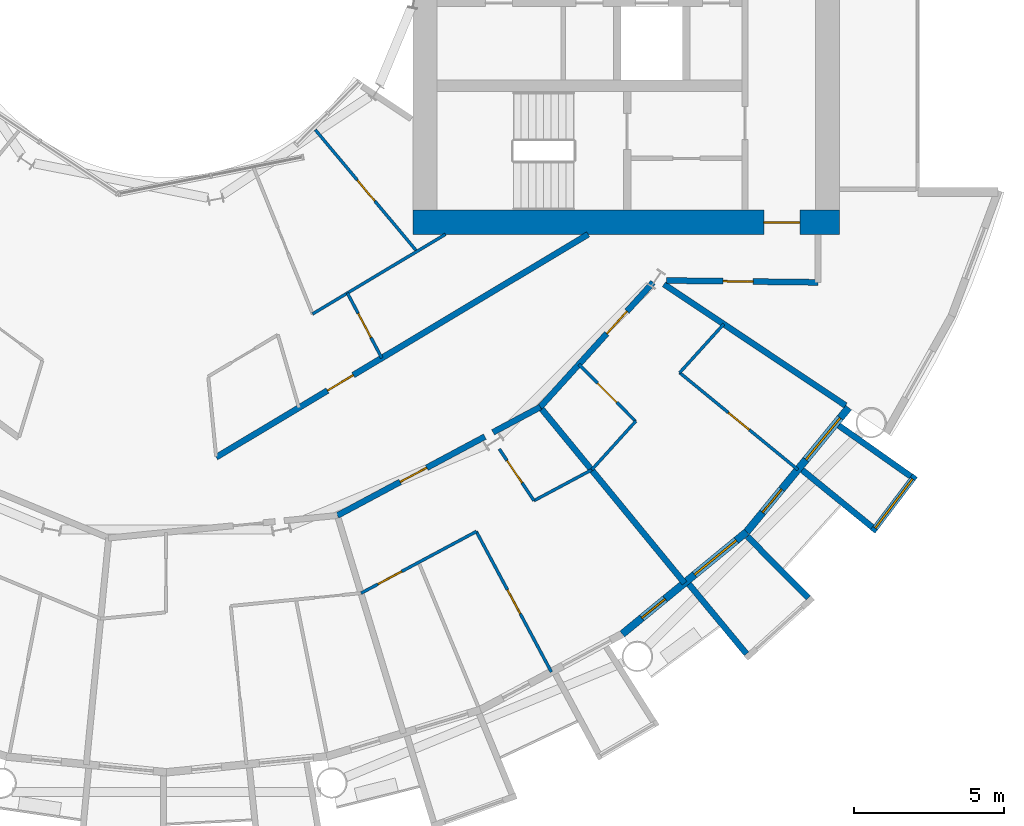
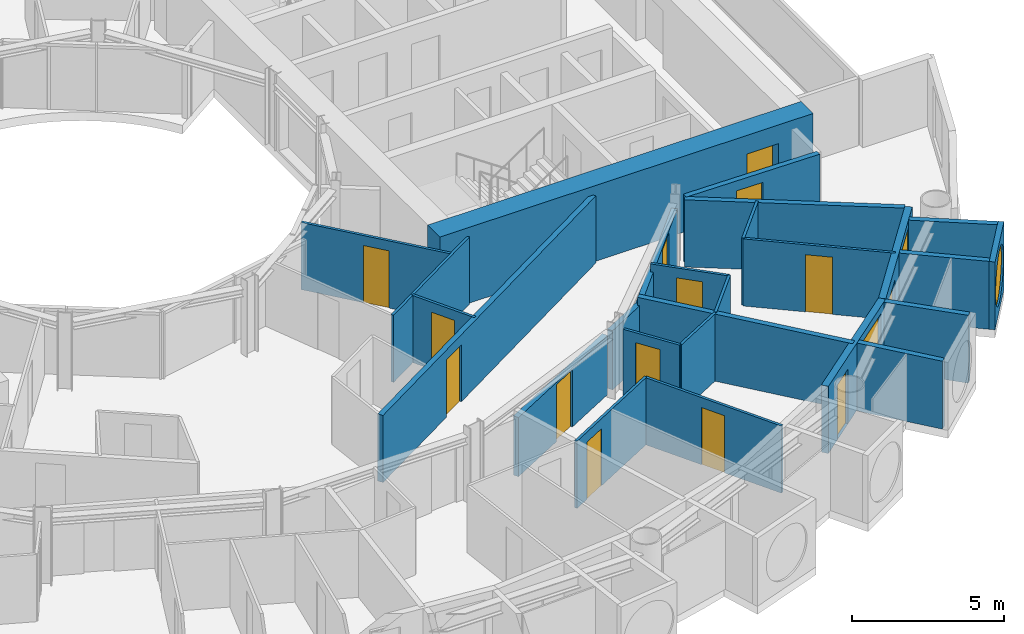
# One storey, part 16 of 26: 26 walls, 14 doors, 3 windows, 17 openings.
"""IFC4 building model written with IfcOpenShell, lengths in metres."""

from ifc_helpers import new_model, si_unit, direction, frame, frame_2d, origin, place, context, subcontext, project, spatial, rectangle, circle, extrude, material, layer, layer_set, type_object, element, fill, save


model = new_model("IFC4")

# Units and contexts
model_context = context("Model", 3, precision=1e-05, world=origin(), true_north=direction((0.0, 1.0)))
body_context = subcontext(model_context, "Body", "Model", "MODEL_VIEW")
ifc_project = project(units=[si_unit("LENGTHUNIT", "METRE"), si_unit("AREAUNIT", "SQUARE_METRE"), si_unit("VOLUMEUNIT", "CUBIC_METRE"), si_unit("PLANEANGLEUNIT", "RADIAN"), si_unit("MASSUNIT", "GRAM", prefix="KILO")], contexts=[model_context])

# Site, building, storey
site_placement = place(None, origin())
site = spatial("IfcSite", under=ifc_project, at=site_placement, CompositionType="ELEMENT")
building_placement = place(site_placement, origin())
building = spatial("IfcBuilding", under=site, at=building_placement, Name="Maasbend Ring Residences", CompositionType="ELEMENT")
storey_placement = place(building_placement, frame((0.0, 0.0, 50.25)))
storey = spatial("IfcBuildingStorey", under=building, at=storey_placement, Name="L14", CompositionType="ELEMENT", Elevation=50.25)

# Wall, opening, door
ifc_material_1 = material(Name="Concrete C70/85", Category="concrete")
ifc_layer_1 = layer(ifc_material_1, 0.800048828125)
ifc_layer_set_1 = layer_set([ifc_layer_1], Name="Concrete C70/85")
wall_type_1 = type_object("IfcWallType", Name="CORE WALL 800 C70/85", PredefinedType="SHEAR", material=ifc_layer_set_1)
wall_1_placement = place(storey_placement, frame((8.199951171875, -9.0, 0.0), z_axis=(0.0, 0.0, 1.0), x_axis=(1.0, 0.0, 0.0)))
wall_1 = element("IfcWall", 1, at=wall_1_placement, inside=storey, type_object=wall_type_1, Name="L14 core E wall PS", PredefinedType="SHEAR", context=body_context, shape_type="SweptSolid", body=[
    extrude(rectangle(XDim=14.199951171875, YDim=0.800048828125, at=frame_2d((7.10009765625, 0.0))), origin(), (0.0, 0.0, 1.0), 3.050048828125),
])
opening_1_placement = place(wall_1_placement, frame((11.675048828125, 0.0, 0.0)))
opening_1 = element("IfcOpeningElement", 2, at=opening_1_placement, cuts=wall_1, Name="Opening D-E1415", PredefinedType="OPENING", context=body_context, shape_type="SweptSolid", body=[
    extrude(rectangle(XDim=1.199951171875, YDim=2.300048828125, at=frame_2d((0.60009765625, 1.14990234375))), frame((0.0, 0.41015625, 0.0), z_axis=(0.0, -1.0, 0.0), x_axis=(1.0, 0.0, 0.0)), (0.0, 0.0, 1.0), 0.820068359375),
])
ifc_material_2 = material(Name="Steel, powder coated", Category="steel")
door_type_1 = type_object("IfcDoorType", Name="CORRIDOR DOOR 1200 X 2300 FD30S", OperationType="NOTDEFINED", PredefinedType="DOOR", material=ifc_material_2)
door_1_placement = place(opening_1_placement, origin())
door_1 = element("IfcDoor", 3, at=door_1_placement, inside=storey, type_object=door_type_1, Name="Corridor door L14", OperationType="SINGLE_SWING_LEFT", OverallHeight=2.300048828125, OverallWidth=1.199951171875, PredefinedType="DOOR", context=body_context, shape_type="SweptSolid", body=[
    extrude(rectangle(XDim=1.199951171875, YDim=2.300048828125, at=frame_2d((0.60009765625, 1.14990234375))), frame((0.0, 0.02490234375, 0.0), z_axis=(0.0, -1.0, 0.0), x_axis=(1.0, 0.0, 0.0)), (0.0, 0.0, 1.0), 0.050048828125),
])
fill(opening_1, door_1)

ifc_material_3 = material(Name="Concrete C30/37", Category="concrete")
ifc_layer_2 = layer(ifc_material_3, 0.199951171875)
ifc_layer_set_2 = layer_set([ifc_layer_2], Name="Concrete C30/37")
wall_type_2 = type_object("IfcWallType", Name="CORRIDOR WALL 200 CONCRETE", PredefinedType="PARTITIONING", material=ifc_layer_set_2)
wall_2_placement = place(storey_placement, frame((12.43408203125, -15.15087890625, 0.0), z_axis=(0.0, 0.0, 1.0), x_axis=(0.671514934772, 0.740991020444, 0.0)))
wall_2 = element("IfcWall", 4, at=wall_2_placement, inside=storey, type_object=wall_type_2, Name="U-L14-w014", PredefinedType="PARTITIONING", context=body_context, shape_type="SweptSolid", body=[
    extrude(rectangle(XDim=5.597900390625, YDim=0.199951171875, at=frame_2d((2.798828125, 0.0))), origin(), (0.0, 0.0, 1.0), 2.3798828125),
])
opening_2_placement = place(wall_2_placement, frame((3.304931640625, 0.0, 0.0)))
opening_2 = element("IfcOpeningElement", 5, at=opening_2_placement, cuts=wall_2, Name="Opening D-1447", PredefinedType="OPENING", context=body_context, shape_type="SweptSolid", body=[
    extrude(rectangle(XDim=1.0, YDim=2.300048828125, at=frame_2d((0.5, 1.14990234375))), frame((0.0, 0.10986328125, 0.0), z_axis=(0.0, -1.0, 0.0), x_axis=(1.0, 0.0, 0.0)), (0.0, 0.0, 1.0), 0.219970703125),
])
ifc_material_4 = material(Name="Timber, fire-rated, painted", Category="wood")
door_type_2 = type_object("IfcDoorType", Name="FLAT ENTRANCE DOOR 1000 X 2300 FIRE-RATED", OperationType="NOTDEFINED", PredefinedType="DOOR", material=ifc_material_4)
door_2_placement = place(opening_2_placement, origin())
door_2 = element("IfcDoor", 6, at=door_2_placement, inside=storey, type_object=door_type_2, Name="D-1447", OperationType="SINGLE_SWING_RIGHT", OverallHeight=2.300048828125, OverallWidth=1.0, PredefinedType="DOOR", context=body_context, shape_type="SweptSolid", body=[
    extrude(rectangle(XDim=1.0, YDim=2.300048828125, at=frame_2d((0.5, 1.14990234375))), frame((0.0, 0.02490234375, 0.0), z_axis=(0.0, -1.0, 0.0), x_axis=(1.0, 0.0, 0.0)), (0.0, 0.0, 1.0), 0.050048828125),
])
fill(opening_2, door_2)

wall_3_placement = place(storey_placement, frame((5.68994140625, -18.756103515625, 0.0), z_axis=(0.0, 0.0, 1.0), x_axis=(0.881866548297, 0.471499089072, 0.0)))
wall_3 = element("IfcWall", 7, at=wall_3_placement, inside=storey, type_object=wall_type_2, Name="U-L14-w017", PredefinedType="PARTITIONING", context=body_context, shape_type="SweptSolid", body=[
    extrude(rectangle(XDim=5.563232421875, YDim=0.199951171875, at=frame_2d((2.78173828125, 0.0))), origin(), (0.0, 0.0, 1.0), 2.3798828125),
])
opening_3_placement = place(wall_3_placement, frame((2.367919921875, 0.0, 0.0)))
opening_3 = element("IfcOpeningElement", 8, at=opening_3_placement, cuts=wall_3, Name="Opening D-1443", PredefinedType="OPENING", context=body_context, shape_type="SweptSolid", body=[
    extrude(rectangle(XDim=1.0, YDim=2.300048828125, at=frame_2d((0.5, 1.14990234375))), frame((0.0, 0.10986328125, 0.0), z_axis=(0.0, -1.0, 0.0), x_axis=(1.0, 0.0, 0.0)), (0.0, 0.0, 1.0), 0.219970703125),
])
door_3_placement = place(opening_3_placement, origin())
door_3 = element("IfcDoor", 9, at=door_3_placement, inside=storey, type_object=door_type_2, Name="D-1443", OperationType="SINGLE_SWING_RIGHT", OverallHeight=2.300048828125, OverallWidth=1.0, PredefinedType="DOOR", context=body_context, shape_type="SweptSolid", body=[
    extrude(rectangle(XDim=1.0, YDim=2.300048828125, at=frame_2d((0.5, 1.14990234375))), frame((0.0, 0.02490234375, 0.0), z_axis=(0.0, -1.0, 0.0), x_axis=(1.0, 0.0, 0.0)), (0.0, 0.0, 1.0), 0.050048828125),
])
fill(opening_3, door_3)

# Wall
wall_4_placement = place(storey_placement, frame((10.866943359375, -15.989013671875, 0.0), z_axis=(0.0, 0.0, 1.0), x_axis=(0.881596178172, 0.472004426496, 0.0)))
element("IfcWall", 10, at=wall_4_placement, inside=storey, type_object=wall_type_2, Name="U-L14-w018", PredefinedType="PARTITIONING", context=body_context, shape_type="SweptSolid", body=[
    extrude(rectangle(XDim=1.77978515625, YDim=0.199951171875, at=frame_2d((0.889892578125, 0.0))), origin(), (0.0, 0.0, 1.0), 2.3798828125),
])

# Wall, opening, door
wall_5_placement = place(storey_placement, frame((1.656005859375, -16.819091796875, 0.0), z_axis=(0.0, 0.0, 1.0), x_axis=(0.857773470126, 0.514027892189, 0.0)))
wall_5 = element("IfcWall", 11, at=wall_5_placement, inside=storey, type_object=wall_type_2, Name="U-L14-w021", PredefinedType="PARTITIONING", context=body_context, shape_type="SweptSolid", body=[
    extrude(rectangle(XDim=14.42919921875, YDim=0.199951171875, at=frame_2d((7.214599609375, 0.0))), origin(), (0.0, 0.0, 1.0), 2.699951171875),
])
opening_4_placement = place(wall_5_placement, frame((4.318115234375, 0.0, 0.0)))
opening_4 = element("IfcOpeningElement", 12, at=opening_4_placement, cuts=wall_5, Name="Opening D-1454", PredefinedType="OPENING", context=body_context, shape_type="SweptSolid", body=[
    extrude(rectangle(XDim=1.0, YDim=2.300048828125, at=frame_2d((0.5, 1.14990234375))), frame((0.0, 0.10986328125, 0.0), z_axis=(0.0, -1.0, 0.0), x_axis=(1.0, 0.0, 0.0)), (0.0, 0.0, 1.0), 0.219970703125),
])
door_4_placement = place(opening_4_placement, origin())
door_4 = element("IfcDoor", 13, at=door_4_placement, inside=storey, type_object=door_type_2, Name="D-1454", OperationType="SINGLE_SWING_LEFT", OverallHeight=2.300048828125, OverallWidth=1.0, PredefinedType="DOOR", context=body_context, shape_type="SweptSolid", body=[
    extrude(rectangle(XDim=1.0, YDim=2.300048828125, at=frame_2d((0.5, 1.14990234375))), frame((0.0, 0.02490234375, 0.0), z_axis=(0.0, -1.0, 0.0), x_axis=(1.0, 0.0, 0.0)), (0.0, 0.0, 1.0), 0.050048828125),
])
fill(opening_4, door_4)

wall_6_placement = place(storey_placement, frame((16.636962890625, -10.93798828125, 0.0), z_axis=(0.0, 0.0, 1.0), x_axis=(0.99992425795, -0.012307654658, 0.0)))
wall_6 = element("IfcWall", 14, at=wall_6_placement, inside=storey, type_object=wall_type_2, Name="U-L14-w027", PredefinedType="PARTITIONING", context=body_context, shape_type="SweptSolid", body=[
    extrude(rectangle(XDim=5.03857421875, YDim=0.199951171875, at=frame_2d((2.519287109375, 0.0))), origin(), (0.0, 0.0, 1.0), 2.699951171875),
])
opening_5_placement = place(wall_6_placement, frame((1.884033203125, 0.0, 0.0)))
opening_5 = element("IfcOpeningElement", 15, at=opening_5_placement, cuts=wall_6, Name="Opening D-1461", PredefinedType="OPENING", context=body_context, shape_type="SweptSolid", body=[
    extrude(rectangle(XDim=1.0, YDim=2.300048828125, at=frame_2d((0.5, 1.14990234375))), frame((0.0, 0.10986328125, 0.0), z_axis=(0.0, -1.0, 0.0), x_axis=(1.0, 0.0, 0.0)), (0.0, 0.0, 1.0), 0.219970703125),
])
ifc_material_5 = material(Name="Timber, painted", Category="wood")
door_type_3 = type_object("IfcDoorType", Name="ROOM DOOR 1000 X 2300", OperationType="NOTDEFINED", PredefinedType="DOOR", material=ifc_material_5)
door_5_placement = place(opening_5_placement, origin())
door_5 = element("IfcDoor", 16, at=door_5_placement, inside=storey, type_object=door_type_3, Name="D-1461", OperationType="SINGLE_SWING_LEFT", OverallHeight=2.300048828125, OverallWidth=1.0, PredefinedType="DOOR", context=body_context, shape_type="SweptSolid", body=[
    extrude(rectangle(XDim=1.0, YDim=2.300048828125, at=frame_2d((0.5, 1.14990234375))), frame((0.0, 0.02490234375, 0.0), z_axis=(0.0, -1.0, 0.0), x_axis=(1.0, 0.0, 0.0)), (0.0, 0.0, 1.0), 0.050048828125),
])
fill(opening_5, door_5)

# Walls
ifc_material_6 = material(Name="Pale anodised aluminium panel", Category="aluminium")
ifc_layer_3 = layer(ifc_material_6, 0.199951171875)
ifc_layer_set_3 = layer_set([ifc_layer_3], Name="EW-BOX")
wall_type_3 = type_object("IfcWallType", Name="EW-BOX", PredefinedType="SOLIDWALL", material=ifc_layer_set_3)
wall_7_placement = place(storey_placement, frame((17.384033203125, -21.041015625, -0.030029296875), z_axis=(0.0, 0.0, 1.0), x_axis=(0.63709551667, -0.770784861449, 0.0)))
element("IfcWall", 17, at=wall_7_placement, inside=storey, type_object=wall_type_3, Name="Box side wall S18 left", PredefinedType="SOLIDWALL", context=body_context, shape_type="SweptSolid", body=[
    extrude(rectangle(XDim=3.005859375, YDim=0.199951171875, at=frame_2d((1.5029296875, 0.0))), origin(), (0.0, 0.0, 1.0), 2.72998046875),
])
wall_8_placement = place(storey_placement, frame((19.322998046875, -19.449951171875, -0.030029296875), z_axis=(0.0, 0.0, 1.0), x_axis=(0.704476739375, -0.709727076896, 0.0)))
element("IfcWall", 18, at=wall_8_placement, inside=storey, type_object=wall_type_3, Name="Box side wall S18 right", PredefinedType="SOLIDWALL", context=body_context, shape_type="SweptSolid", body=[
    extrude(rectangle(XDim=2.883056640625, YDim=0.199951171875, at=frame_2d((1.44140625, 0.0))), origin(), (0.0, 0.0, 1.0), 2.72998046875),
])

# Wall, opening, window
wall_9_placement = place(storey_placement, frame((23.4970703125, -19.2890625, -0.030029296875), z_axis=(0.0, 0.0, 1.0), x_axis=(0.60418752353, 0.796842165306, 0.0)))
wall_9 = element("IfcWall", 19, at=wall_9_placement, inside=storey, type_object=wall_type_3, Name="Box front S20", PredefinedType="SOLIDWALL", context=body_context, shape_type="SweptSolid", body=[
    extrude(rectangle(XDim=2.3369140625, YDim=0.199951171875, at=frame_2d((1.16845703125, 0.0))), origin(), (0.0, 0.0, 1.0), 2.72998046875),
])
opening_6_placement = place(wall_9_placement, frame((0.128173828125, 0.0, 0.330078125)))
opening_6 = element("IfcOpeningElement", 20, at=opening_6_placement, cuts=wall_9, Name="Opening W-RD", PredefinedType="OPENING", context=body_context, shape_type="SweptSolid", body=[
    extrude(circle(Radius=1.0400390625, at=frame_2d((1.0400390625, 1.0400390625))), frame((0.0, 0.10986328125, 0.0), z_axis=(0.0, -1.0, 0.0), x_axis=(1.0, 0.0, 0.0)), (0.0, 0.0, 1.0), 0.219970703125),
])
ifc_material_7 = material(Name="Aluminium and clear glass", Category="aluminium")
window_type_1 = type_object("IfcWindowType", Name="W-RD", PartitioningType="SINGLE_PANEL", PredefinedType="WINDOW", material=ifc_material_7)
window_1_placement = place(opening_6_placement, origin())
window_1 = element("IfcWindow", 21, at=window_1_placement, inside=storey, type_object=window_type_1, Name="Round window S20", OverallHeight=2.080078125, OverallWidth=2.080078125, PartitioningType="SINGLE_PANEL", PredefinedType="WINDOW", context=body_context, shape_type="SweptSolid", body=[
    extrude(circle(Radius=1.0400390625, at=frame_2d((1.0400390625, 1.0400390625))), frame((0.0, 0.030029296875, 0.0), z_axis=(0.0, -1.0, 0.0), x_axis=(1.0, 0.0, 0.0)), (0.0, 0.0, 1.0), 0.06005859375),
])
fill(opening_6, window_1)

# Walls
wall_10_placement = place(storey_placement, frame((21.155029296875, -17.24609375, -0.030029296875), z_axis=(0.0, 0.0, 1.0), x_axis=(0.775179004516, -0.631741648902, 0.0)))
element("IfcWall", 22, at=wall_10_placement, inside=storey, type_object=wall_type_3, Name="Box side wall S20 left", PredefinedType="SOLIDWALL", context=body_context, shape_type="SweptSolid", body=[
    extrude(rectangle(XDim=3.005859375, YDim=0.199951171875, at=frame_2d((1.5029296875, 0.0))), origin(), (0.0, 0.0, 1.0), 2.72998046875),
])
wall_11_placement = place(storey_placement, frame((22.3701171875, -15.764892578125, -0.030029296875), z_axis=(0.0, 0.0, 1.0), x_axis=(0.817256123454, -0.576274612209, 0.0)))
element("IfcWall", 23, at=wall_11_placement, inside=storey, type_object=wall_type_3, Name="Box side wall S20 right", PredefinedType="SOLIDWALL", context=body_context, shape_type="SweptSolid", body=[
    extrude(rectangle(XDim=2.932861328125, YDim=0.199951171875, at=frame_2d((1.46630859375, 0.0))), origin(), (0.0, 0.0, 1.0), 2.72998046875),
])

# Wall, openings, door, window
ifc_material_8 = material(Name="Aluminium clad insulated panel", Category="aluminium")
ifc_layer_4 = layer(ifc_material_8, 0.25)
ifc_layer_set_4 = layer_set([ifc_layer_4], Name="EW-GL")
wall_type_4 = type_object("IfcWallType", Name="EW-GL", PredefinedType="SOLIDWALL", material=ifc_layer_set_4)
wall_12_placement = place(storey_placement, frame((15.1669921875, -22.698974609375, 0.0), z_axis=(0.0, 0.0, 1.0), x_axis=(0.773019449054, 0.634382322723, 0.0)))
wall_12 = element("IfcWall", 24, at=wall_12_placement, inside=storey, type_object=wall_type_4, Name="External wall S09", PredefinedType="SOLIDWALL", context=body_context, shape_type="SweptSolid", body=[
    extrude(rectangle(XDim=5.351806640625, YDim=0.25, at=frame_2d((2.67578125, 0.0))), origin(), (0.0, 0.0, 1.0), 2.699951171875),
])
opening_7_placement = place(wall_12_placement, frame((0.841064453125, 0.0, 0.0)))
opening_7 = element("IfcOpeningElement", 25, at=opening_7_placement, cuts=wall_12, Name="Opening D-LG", PredefinedType="OPENING", context=body_context, shape_type="SweptSolid", body=[
    extrude(rectangle(XDim=1.0, YDim=2.199951171875, at=frame_2d((0.5, 1.10009765625))), frame((0.0, 0.135009765625, 0.0), z_axis=(0.0, -1.0, 0.0), x_axis=(1.0, 0.0, 0.0)), (0.0, 0.0, 1.0), 0.27001953125),
])
opening_8_placement = place(wall_12_placement, frame((3.110595703125, 0.0, 0.300048828125)))
opening_8 = element("IfcOpeningElement", 26, at=opening_8_placement, cuts=wall_12, Name="Opening W-BX", PredefinedType="OPENING", context=body_context, shape_type="SweptSolid", body=[
    extrude(rectangle(XDim=1.800048828125, YDim=2.10009765625, at=frame_2d((0.89990234375, 1.050048828125))), frame((0.0, 0.135009765625, 0.0), z_axis=(0.0, -1.0, 0.0), x_axis=(1.0, 0.0, 0.0)), (0.0, 0.0, 1.0), 0.27001953125),
])
ifc_material_9 = material(Name="Aluminium and clear glass", Category="aluminium")
door_type_4 = type_object("IfcDoorType", Name="D-LG", OperationType="SINGLE_SWING_LEFT", PredefinedType="DOOR", material=ifc_material_9)
door_6_placement = place(opening_7_placement, origin())
door_6 = element("IfcDoor", 27, at=door_6_placement, inside=storey, type_object=door_type_4, Name="Loggia door S17", OperationType="SINGLE_SWING_LEFT", OverallHeight=2.199951171875, OverallWidth=1.0, PredefinedType="DOOR", context=body_context, shape_type="SweptSolid", body=[
    extrude(rectangle(XDim=1.0, YDim=2.199951171875, at=frame_2d((0.5, 1.10009765625))), frame((0.0, 0.02490234375, 0.0), z_axis=(0.0, -1.0, 0.0), x_axis=(1.0, 0.0, 0.0)), (0.0, 0.0, 1.0), 0.050048828125),
])
fill(opening_7, door_6)
ifc_material_10 = material(Name="Aluminium and clear glass", Category="aluminium")
window_type_2 = type_object("IfcWindowType", Name="W-BX", PartitioningType="DOUBLE_PANEL_VERTICAL", PredefinedType="WINDOW", material=ifc_material_10)
window_2_placement = place(opening_8_placement, origin())
window_2 = element("IfcWindow", 28, at=window_2_placement, inside=storey, type_object=window_type_2, Name="Window S18 room to box", OverallHeight=2.10009765625, OverallWidth=1.800048828125, PartitioningType="SINGLE_PANEL", PredefinedType="WINDOW", context=body_context, shape_type="SweptSolid", body=[
    extrude(rectangle(XDim=1.800048828125, YDim=2.10009765625, at=frame_2d((0.89990234375, 1.050048828125))), frame((0.0, 0.030029296875, 0.0), z_axis=(0.0, -1.0, 0.0), x_axis=(1.0, 0.0, 0.0)), (0.0, 0.0, 1.0), 0.06005859375),
])
fill(opening_8, window_2)

wall_13_placement = place(storey_placement, frame((19.303955078125, -19.303955078125, 0.0), z_axis=(0.0, 0.0, 1.0), x_axis=(0.634382322723, 0.773019449054, 0.0)))
wall_13 = element("IfcWall", 29, at=wall_13_placement, inside=storey, type_object=wall_type_4, Name="External wall S10", PredefinedType="SOLIDWALL", context=body_context, shape_type="SweptSolid", body=[
    extrude(rectangle(XDim=5.351806640625, YDim=0.25, at=frame_2d((2.67578125, 0.0))), origin(), (0.0, 0.0, 1.0), 2.699951171875),
])
opening_9_placement = place(wall_13_placement, frame((0.841064453125, 0.0, 0.0)))
opening_9 = element("IfcOpeningElement", 30, at=opening_9_placement, cuts=wall_13, Name="Opening D-LG", PredefinedType="OPENING", context=body_context, shape_type="SweptSolid", body=[
    extrude(rectangle(XDim=1.0, YDim=2.199951171875, at=frame_2d((0.5, 1.10009765625))), frame((0.0, 0.135009765625, 0.0), z_axis=(0.0, -1.0, 0.0), x_axis=(1.0, 0.0, 0.0)), (0.0, 0.0, 1.0), 0.27001953125),
])
opening_10_placement = place(wall_13_placement, frame((3.110595703125, 0.0, 0.300048828125)))
opening_10 = element("IfcOpeningElement", 31, at=opening_10_placement, cuts=wall_13, Name="Opening W-BX", PredefinedType="OPENING", context=body_context, shape_type="SweptSolid", body=[
    extrude(rectangle(XDim=1.800048828125, YDim=2.10009765625, at=frame_2d((0.89990234375, 1.050048828125))), frame((0.0, 0.135009765625, 0.0), z_axis=(0.0, -1.0, 0.0), x_axis=(1.0, 0.0, 0.0)), (0.0, 0.0, 1.0), 0.27001953125),
])
door_7_placement = place(opening_9_placement, origin())
door_7 = element("IfcDoor", 32, at=door_7_placement, inside=storey, type_object=door_type_4, Name="Loggia door S19", OperationType="SINGLE_SWING_LEFT", OverallHeight=2.199951171875, OverallWidth=1.0, PredefinedType="DOOR", context=body_context, shape_type="SweptSolid", body=[
    extrude(rectangle(XDim=1.0, YDim=2.199951171875, at=frame_2d((0.5, 1.10009765625))), frame((0.0, 0.02490234375, 0.0), z_axis=(0.0, -1.0, 0.0), x_axis=(1.0, 0.0, 0.0)), (0.0, 0.0, 1.0), 0.050048828125),
])
fill(opening_9, door_7)
window_3_placement = place(opening_10_placement, origin())
window_3 = element("IfcWindow", 33, at=window_3_placement, inside=storey, type_object=window_type_2, Name="Window S20 room to box", OverallHeight=2.10009765625, OverallWidth=1.800048828125, PartitioningType="SINGLE_PANEL", PredefinedType="WINDOW", context=body_context, shape_type="SweptSolid", body=[
    extrude(rectangle(XDim=1.800048828125, YDim=2.10009765625, at=frame_2d((0.89990234375, 1.050048828125))), frame((0.0, 0.030029296875, 0.0), z_axis=(0.0, -1.0, 0.0), x_axis=(1.0, 0.0, 0.0)), (0.0, 0.0, 1.0), 0.06005859375),
])
fill(opening_10, window_3)

# Walls
ifc_material_11 = material(Name="Gypsum board on steel studs", Category="steel")
ifc_layer_5 = layer(ifc_material_11, 0.10009765625)
ifc_layer_set_5 = layer_set([ifc_layer_5], Name="PARTITION 100 GYPSUM")
wall_type_5 = type_object("IfcWallType", Name="PARTITION 100 GYPSUM", PredefinedType="PARTITIONING", material=ifc_layer_set_5)
wall_14_placement = place(storey_placement, frame((14.153076171875, -17.23388671875, 0.0), z_axis=(0.0, 0.0, 1.0), x_axis=(0.671144831591, 0.741326254107, 0.0)))
element("IfcWall", 34, at=wall_14_placement, inside=storey, type_object=wall_type_5, Name="U-L14-w003", PredefinedType="PARTITIONING", context=body_context, shape_type="SweptSolid", body=[
    extrude(rectangle(XDim=2.18115234375, YDim=0.10009765625, at=frame_2d((1.090576171875, 0.0))), origin(), (0.0, 0.0, 1.0), 2.699951171875),
])
wall_15_placement = place(storey_placement, frame((17.076904296875, -14.006103515625, 0.0), z_axis=(0.0, 0.0, 1.0), x_axis=(0.671396556615, 0.741098282123, 0.0)))
element("IfcWall", 35, at=wall_15_placement, inside=storey, type_object=wall_type_5, Name="U-L14-w004", PredefinedType="PARTITIONING", context=body_context, shape_type="SweptSolid", body=[
    extrude(rectangle(XDim=2.18212890625, YDim=0.10009765625, at=frame_2d((1.091064453125, 0.0))), origin(), (0.0, 0.0, 1.0), 2.699951171875),
])

# Wall, opening, door
wall_16_placement = place(storey_placement, frame((6.47802734375, -21.340087890625, 0.0), z_axis=(0.0, 0.0, 1.0), x_axis=(0.881765663848, 0.471687729392, 0.0)))
wall_16 = element("IfcWall", 36, at=wall_16_placement, inside=storey, type_object=wall_type_5, Name="U-L14-w007", PredefinedType="PARTITIONING", context=body_context, shape_type="SweptSolid", body=[
    extrude(rectangle(XDim=4.35498046875, YDim=0.10009765625, at=frame_2d((2.177490234375, 0.0))), origin(), (0.0, 0.0, 1.0), 2.699951171875),
])
opening_11_placement = place(wall_16_placement, frame((0.633056640625, 0.0, 0.0)))
opening_11 = element("IfcOpeningElement", 37, at=opening_11_placement, cuts=wall_16, Name="Opening D-1446", PredefinedType="OPENING", context=body_context, shape_type="SweptSolid", body=[
    extrude(rectangle(XDim=0.89990234375, YDim=2.300048828125, at=frame_2d((0.449951171875, 1.14990234375))), frame((0.0, 0.06005859375, 0.0), z_axis=(0.0, -1.0, 0.0), x_axis=(1.0, 0.0, 0.0)), (0.0, 0.0, 1.0), 0.1201171875),
])
ifc_material_12 = material(Name="Timber, painted", Category="wood")
door_type_5 = type_object("IfcDoorType", Name="INTERNAL DOOR 900 X 2300", OperationType="NOTDEFINED", PredefinedType="DOOR", material=ifc_material_12)
door_8_placement = place(opening_11_placement, origin())
door_8 = element("IfcDoor", 38, at=door_8_placement, inside=storey, type_object=door_type_5, Name="D-1446", OperationType="SINGLE_SWING_LEFT", OverallHeight=2.300048828125, OverallWidth=0.89990234375, PredefinedType="DOOR", context=body_context, shape_type="SweptSolid", body=[
    extrude(rectangle(XDim=0.89990234375, YDim=2.300048828125, at=frame_2d((0.449951171875, 1.14990234375))), frame((0.0, 0.02490234375, 0.0), z_axis=(0.0, -1.0, 0.0), x_axis=(1.0, 0.0, 0.0)), (0.0, 0.0, 1.0), 0.050048828125),
])
fill(opening_11, door_8)

# Walls
wall_17_placement = place(storey_placement, frame((12.22900390625, -18.263916015625, 0.0), z_axis=(0.0, 0.0, 1.0), x_axis=(0.881786813167, 0.471648191055, 0.0)))
element("IfcWall", 39, at=wall_17_placement, inside=storey, type_object=wall_type_5, Name="U-L14-w008", PredefinedType="PARTITIONING", context=body_context, shape_type="SweptSolid", body=[
    extrude(rectangle(XDim=2.175048828125, YDim=0.10009765625, at=frame_2d((1.08740234375, 0.0))), origin(), (0.0, 0.0, 1.0), 2.699951171875),
])
wall_18_placement = place(storey_placement, frame((4.860107421875, -12.052978515625, 0.0), z_axis=(0.0, 0.0, 1.0), x_axis=(0.857697418837, 0.514154779926, 0.0)))
element("IfcWall", 40, at=wall_18_placement, inside=storey, type_object=wall_type_5, Name="U-L14-w025", PredefinedType="PARTITIONING", context=body_context, shape_type="SweptSolid", body=[
    extrude(rectangle(XDim=5.16015625, YDim=0.10009765625, at=frame_2d((2.580078125, 0.0))), origin(), (0.0, 0.0, 1.0), 2.699951171875),
])

# Wall, opening, door
wall_19_placement = place(storey_placement, frame((4.951904296875, -5.923095703125, 0.0), z_axis=(0.0, 0.0, 1.0), x_axis=(0.641376424834, -0.767226356213, 0.0)))
wall_19 = element("IfcWall", 41, at=wall_19_placement, inside=storey, type_object=wall_type_5, Name="U-L14-w063", PredefinedType="PARTITIONING", context=body_context, shape_type="SweptSolid", body=[
    extrude(rectangle(XDim=5.274658203125, YDim=0.10009765625, at=frame_2d((2.63720703125, 0.0))), origin(), (0.0, 0.0, 1.0), 2.699951171875),
])
opening_12_placement = place(wall_19_placement, frame((2.18701171875, 0.0, 0.0)))
opening_12 = element("IfcOpeningElement", 42, at=opening_12_placement, cuts=wall_19, Name="Opening D-1458", PredefinedType="OPENING", context=body_context, shape_type="SweptSolid", body=[
    extrude(rectangle(XDim=0.89990234375, YDim=2.300048828125, at=frame_2d((0.449951171875, 1.14990234375))), frame((0.0, 0.06005859375, 0.0), z_axis=(0.0, -1.0, 0.0), x_axis=(1.0, 0.0, 0.0)), (0.0, 0.0, 1.0), 0.1201171875),
])
door_9_placement = place(opening_12_placement, origin())
door_9 = element("IfcDoor", 43, at=door_9_placement, inside=storey, type_object=door_type_5, Name="D-1458", OperationType="SINGLE_SWING_RIGHT", OverallHeight=2.300048828125, OverallWidth=0.89990234375, PredefinedType="DOOR", context=body_context, shape_type="SweptSolid", body=[
    extrude(rectangle(XDim=0.89990234375, YDim=2.300048828125, at=frame_2d((0.449951171875, 1.14990234375))), frame((0.0, 0.02490234375, 0.0), z_axis=(0.0, -1.0, 0.0), x_axis=(1.0, 0.0, 0.0)), (0.0, 0.0, 1.0), 0.050048828125),
])
fill(opening_12, door_9)

wall_20_placement = place(storey_placement, frame((6.02099609375, -11.35693359375, 0.0), z_axis=(0.0, 0.0, 1.0), x_axis=(0.468337293896, -0.883549760425, 0.0)))
wall_20 = element("IfcWall", 44, at=wall_20_placement, inside=storey, type_object=wall_type_5, Name="U-L14-w066", PredefinedType="PARTITIONING", context=body_context, shape_type="SweptSolid", body=[
    extrude(rectangle(XDim=2.44482421875, YDim=0.10009765625, at=frame_2d((1.222412109375, 0.0))), origin(), (0.0, 0.0, 1.0), 2.699951171875),
])
opening_13_placement = place(wall_20_placement, frame((0.77197265625, 0.0, 0.0)))
opening_13 = element("IfcOpeningElement", 45, at=opening_13_placement, cuts=wall_20, Name="Opening D-1456", PredefinedType="OPENING", context=body_context, shape_type="SweptSolid", body=[
    extrude(rectangle(XDim=0.89990234375, YDim=2.300048828125, at=frame_2d((0.449951171875, 1.14990234375))), frame((0.0, 0.06005859375, 0.0), z_axis=(0.0, -1.0, 0.0), x_axis=(1.0, 0.0, 0.0)), (0.0, 0.0, 1.0), 0.1201171875),
])
door_10_placement = place(opening_13_placement, origin())
door_10 = element("IfcDoor", 46, at=door_10_placement, inside=storey, type_object=door_type_5, Name="D-1456", OperationType="SINGLE_SWING_RIGHT", OverallHeight=2.300048828125, OverallWidth=0.89990234375, PredefinedType="DOOR", context=body_context, shape_type="SweptSolid", body=[
    extrude(rectangle(XDim=0.89990234375, YDim=2.300048828125, at=frame_2d((0.449951171875, 1.14990234375))), frame((0.0, 0.02490234375, 0.0), z_axis=(0.0, -1.0, 0.0), x_axis=(1.0, 0.0, 0.0)), (0.0, 0.0, 1.0), 0.050048828125),
])
fill(opening_13, door_10)

wall_21_placement = place(storey_placement, frame((10.31005859375, -19.2890625, 0.0), z_axis=(0.0, 0.0, 1.0), x_axis=(0.47140999111, -0.881914179658, 0.0)))
wall_21 = element("IfcWall", 47, at=wall_21_placement, inside=storey, type_object=wall_type_5, Name="U-L14-w072", PredefinedType="PARTITIONING", context=body_context, shape_type="SweptSolid", body=[
    extrude(rectangle(XDim=5.30322265625, YDim=0.10009765625, at=frame_2d((2.651611328125, 0.0))), origin(), (0.0, 0.0, 1.0), 2.699951171875),
])
opening_14_placement = place(wall_21_placement, frame((2.201904296875, 0.0, 0.0)))
opening_14 = element("IfcOpeningElement", 48, at=opening_14_placement, cuts=wall_21, Name="Opening D-1445", PredefinedType="OPENING", context=body_context, shape_type="SweptSolid", body=[
    extrude(rectangle(XDim=0.89990234375, YDim=2.300048828125, at=frame_2d((0.449951171875, 1.14990234375))), frame((0.0, 0.06005859375, 0.0), z_axis=(0.0, -1.0, 0.0), x_axis=(1.0, 0.0, 0.0)), (0.0, 0.0, 1.0), 0.1201171875),
])
door_11_placement = place(opening_14_placement, origin())
door_11 = element("IfcDoor", 49, at=door_11_placement, inside=storey, type_object=door_type_5, Name="D-1445", OperationType="SINGLE_SWING_RIGHT", OverallHeight=2.300048828125, OverallWidth=0.89990234375, PredefinedType="DOOR", context=body_context, shape_type="SweptSolid", body=[
    extrude(rectangle(XDim=0.89990234375, YDim=2.300048828125, at=frame_2d((0.449951171875, 1.14990234375))), frame((0.0, 0.02490234375, 0.0), z_axis=(0.0, -1.0, 0.0), x_axis=(1.0, 0.0, 0.0)), (0.0, 0.0, 1.0), 0.050048828125),
])
fill(opening_14, door_11)

wall_22_placement = place(storey_placement, frame((11.076904296875, -16.5439453125, 0.0), z_axis=(0.0, 0.0, 1.0), x_axis=(0.556522278225, -0.830832687031, 0.0)))
wall_22 = element("IfcWall", 50, at=wall_22_placement, inside=storey, type_object=wall_type_5, Name="U-L14-w073", PredefinedType="PARTITIONING", context=body_context, shape_type="SweptSolid", body=[
    extrude(rectangle(XDim=2.070068359375, YDim=0.10009765625, at=frame_2d((1.03515625, 0.0))), origin(), (0.0, 0.0, 1.0), 2.699951171875),
])
opening_15_placement = place(wall_22_placement, frame((0.4580078125, 0.0, 0.0)))
opening_15 = element("IfcOpeningElement", 51, at=opening_15_placement, cuts=wall_22, Name="Opening D-1444", PredefinedType="OPENING", context=body_context, shape_type="SweptSolid", body=[
    extrude(rectangle(XDim=0.89990234375, YDim=2.300048828125, at=frame_2d((0.449951171875, 1.14990234375))), frame((0.0, 0.06005859375, 0.0), z_axis=(0.0, -1.0, 0.0), x_axis=(1.0, 0.0, 0.0)), (0.0, 0.0, 1.0), 0.1201171875),
])
door_12_placement = place(opening_15_placement, origin())
door_12 = element("IfcDoor", 52, at=door_12_placement, inside=storey, type_object=door_type_5, Name="D-1444", OperationType="SINGLE_SWING_LEFT", OverallHeight=2.300048828125, OverallWidth=0.89990234375, PredefinedType="DOOR", context=body_context, shape_type="SweptSolid", body=[
    extrude(rectangle(XDim=0.89990234375, YDim=2.300048828125, at=frame_2d((0.449951171875, 1.14990234375))), frame((0.0, 0.02490234375, 0.0), z_axis=(0.0, -1.0, 0.0), x_axis=(1.0, 0.0, 0.0)), (0.0, 0.0, 1.0), 0.050048828125),
])
fill(opening_15, door_12)

wall_23_placement = place(storey_placement, frame((13.721923828125, -13.72998046875, 0.0), z_axis=(0.0, 0.0, 1.0), x_axis=(0.706741540154, -0.707471833659, 0.0)))
wall_23 = element("IfcWall", 53, at=wall_23_placement, inside=storey, type_object=wall_type_5, Name="U-L14-w077", PredefinedType="PARTITIONING", context=body_context, shape_type="SweptSolid", body=[
    extrude(rectangle(XDim=2.67431640625, YDim=0.10009765625, at=frame_2d((1.337158203125, 0.0))), origin(), (0.0, 0.0, 1.0), 2.699951171875),
])
opening_16_placement = place(wall_23_placement, frame((0.886962890625, 0.0, 0.0)))
opening_16 = element("IfcOpeningElement", 54, at=opening_16_placement, cuts=wall_23, Name="Opening D-1448", PredefinedType="OPENING", context=body_context, shape_type="SweptSolid", body=[
    extrude(rectangle(XDim=0.89990234375, YDim=2.300048828125, at=frame_2d((0.449951171875, 1.14990234375))), frame((0.0, 0.06005859375, 0.0), z_axis=(0.0, -1.0, 0.0), x_axis=(1.0, 0.0, 0.0)), (0.0, 0.0, 1.0), 0.1201171875),
])
door_13_placement = place(opening_16_placement, origin())
door_13 = element("IfcDoor", 55, at=door_13_placement, inside=storey, type_object=door_type_5, Name="D-1448", OperationType="SINGLE_SWING_RIGHT", OverallHeight=2.300048828125, OverallWidth=0.89990234375, PredefinedType="DOOR", context=body_context, shape_type="SweptSolid", body=[
    extrude(rectangle(XDim=0.89990234375, YDim=2.300048828125, at=frame_2d((0.449951171875, 1.14990234375))), frame((0.0, 0.02490234375, 0.0), z_axis=(0.0, -1.0, 0.0), x_axis=(1.0, 0.0, 0.0)), (0.0, 0.0, 1.0), 0.050048828125),
])
fill(opening_16, door_13)

wall_24_placement = place(storey_placement, frame((17.076904296875, -14.006103515625, 0.0), z_axis=(0.0, 0.0, 1.0), x_axis=(0.77326214499, -0.634086472908, 0.0)))
wall_24 = element("IfcWall", 56, at=wall_24_placement, inside=storey, type_object=wall_type_5, Name="U-L14-w081", PredefinedType="PARTITIONING", context=body_context, shape_type="SweptSolid", body=[
    extrude(rectangle(XDim=5.0888671875, YDim=0.10009765625, at=frame_2d((2.54443359375, 0.0))), origin(), (0.0, 0.0, 1.0), 2.699951171875),
])
opening_17_placement = place(wall_24_placement, frame((2.093994140625, 0.0, 0.0)))
opening_17 = element("IfcOpeningElement", 57, at=opening_17_placement, cuts=wall_24, Name="Opening D-1449", PredefinedType="OPENING", context=body_context, shape_type="SweptSolid", body=[
    extrude(rectangle(XDim=0.89990234375, YDim=2.300048828125, at=frame_2d((0.449951171875, 1.14990234375))), frame((0.0, 0.06005859375, 0.0), z_axis=(0.0, -1.0, 0.0), x_axis=(1.0, 0.0, 0.0)), (0.0, 0.0, 1.0), 0.1201171875),
])
door_14_placement = place(opening_17_placement, origin())
door_14 = element("IfcDoor", 58, at=door_14_placement, inside=storey, type_object=door_type_5, Name="D-1449", OperationType="SINGLE_SWING_LEFT", OverallHeight=2.300048828125, OverallWidth=0.89990234375, PredefinedType="DOOR", context=body_context, shape_type="SweptSolid", body=[
    extrude(rectangle(XDim=0.89990234375, YDim=2.300048828125, at=frame_2d((0.449951171875, 1.14990234375))), frame((0.0, 0.02490234375, 0.0), z_axis=(0.0, -1.0, 0.0), x_axis=(1.0, 0.0, 0.0)), (0.0, 0.0, 1.0), 0.050048828125),
])
fill(opening_17, door_14)

# Walls
ifc_material_13 = material(Name="Concrete C30/37", Category="concrete")
ifc_layer_6 = layer(ifc_material_13, 0.199951171875)
ifc_layer_set_6 = layer_set([ifc_layer_6], Name="Concrete C30/37")
wall_type_6 = type_object("IfcWallType", Name="PARTY WALL 200 CONCRETE", PredefinedType="PARTITIONING", material=ifc_layer_set_6)
wall_25_placement = place(storey_placement, frame((12.43408203125, -15.15087890625, 0.0), z_axis=(0.0, 0.0, 1.0), x_axis=(0.634381303318, -0.773020285633, 0.0)))
element("IfcWall", 59, at=wall_25_placement, inside=storey, type_object=wall_type_6, Name="U-L14-w076", PredefinedType="PARTITIONING", context=body_context, shape_type="SweptSolid", body=[
    extrude(rectangle(XDim=7.57568359375, YDim=0.199951171875, at=frame_2d((3.787841796875, 0.0))), origin(), (0.0, 0.0, 1.0), 2.699951171875),
])
wall_26_placement = place(storey_placement, frame((16.554931640625, -11.06103515625, 0.0), z_axis=(0.0, 0.0, 1.0), x_axis=(0.831465568067, -0.555576285599, 0.0)))
element("IfcWall", 60, at=wall_26_placement, inside=storey, type_object=wall_type_6, Name="U-L14-w079", PredefinedType="PARTITIONING", context=body_context, shape_type="SweptSolid", body=[
    extrude(rectangle(XDim=7.264404296875, YDim=0.199951171875, at=frame_2d((3.63232421875, 0.0))), origin(), (0.0, 0.0, 1.0), 2.699951171875),
])

save(model, "model.ifc")
